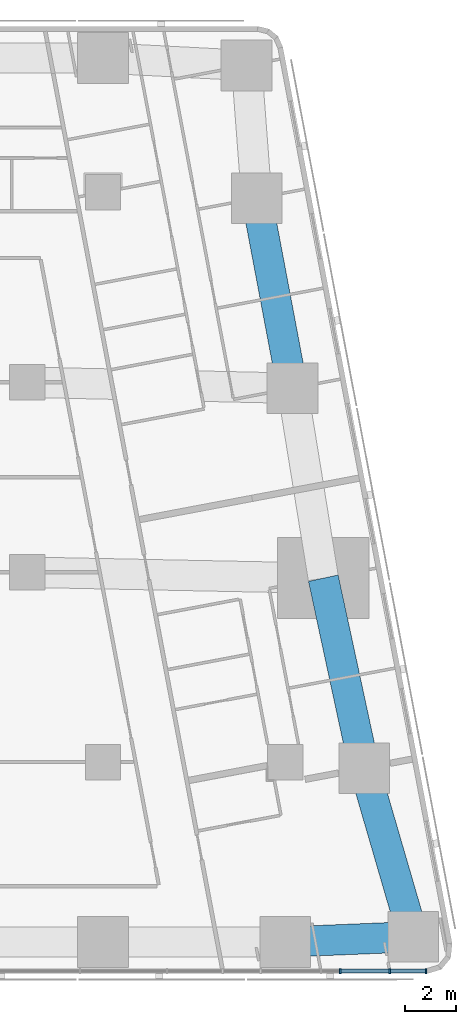
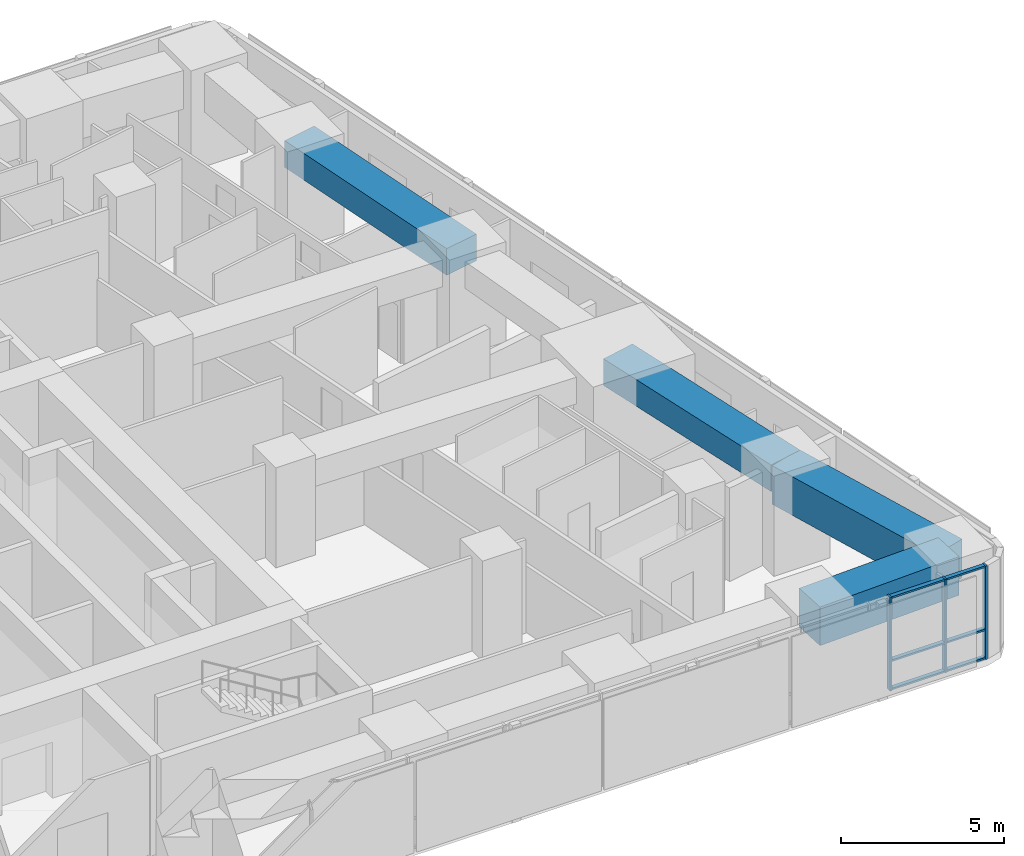
# One storey, part 3 of 11: 9 members, 4 beams, 1 element without a shape of its own.
"""IFC4 building model written with IfcOpenShell, lengths in metres."""

from ifc_helpers import new_model, si_unit, direction, frame, origin, origin_2d, place, context, subcontext, project, spatial, rectangle, extrude, material, material_profile, profile_set, type_object, element, aggregate, save


model = new_model("IFC4")

# Units and contexts
model_context = context("Model", 3, precision=1e-05, world=origin(), true_north=direction((0.0, 1.0)))
body_context = subcontext(model_context, "Body", "Model", "MODEL_VIEW")
ifc_project = project(units=[si_unit("LENGTHUNIT", "METRE"), si_unit("AREAUNIT", "SQUARE_METRE"), si_unit("VOLUMEUNIT", "CUBIC_METRE"), si_unit("PLANEANGLEUNIT", "RADIAN"), si_unit("MASSUNIT", "GRAM", prefix="KILO")], contexts=[model_context])

# Site, building, storey
site_placement = place(None, origin())
site = spatial("IfcSite", under=ifc_project, at=site_placement, CompositionType="ELEMENT")
building_placement = place(site_placement, origin())
building = spatial("IfcBuilding", under=site, at=building_placement, Name="Sheger Commons Tower", CompositionType="ELEMENT")
storey_placement = place(building_placement, frame((0.0, 0.0, 266.60009765625)))
storey = spatial("IfcBuildingStorey", under=building, at=storey_placement, Name="L68", CompositionType="ELEMENT", Elevation=266.60009765625)

# Curtain wall, members
ifc_material_1 = material(Name="Black aluminium curtain wall, dark tinted glazing", Category="aluminium")
curtain_wall_type = type_object("IfcCurtainWallType", Name="CURTAIN WALL CW5 SOUTH GALLERY", PredefinedType="USERDEFINED", material=ifc_material_1)
curtain_wall_placement = place(storey_placement, origin())
curtain_wall = element("IfcCurtainWall", 1, at=curtain_wall_placement, inside=storey, type_object=curtain_wall_type, Name="Curtain Wall Cw5 South Gallery S1 L68", ObjectType="UNITISED CURTAIN WALL", PredefinedType="USERDEFINED")
ifc_material_2 = material(Name="Black anodised aluminium", Category="aluminium")
ifc_material_profile_1 = material_profile(ifc_material_2, rectangle(XDim=0.199951171875, YDim=0.06494140625, at=origin_2d()), Name="AL 65x200")
ifc_profile_set_1 = profile_set([ifc_material_profile_1], Name="Black anodised aluminium")
member_type_1 = type_object("IfcMemberType", Name="MULLION AL 65x200", PredefinedType="MULLION", material=ifc_profile_set_1)
member_1_placement = place(storey_placement, frame((45.364990234375, 6.75, 0.0), z_axis=(0.0, 0.0, 1.0), x_axis=(0.0, 1.0, 0.0)))
member_1 = element("IfcMember", 2, at=member_1_placement, type_object=member_type_1, Name="CW5 mullion 12", PredefinedType="MULLION", context=body_context, shape_type="SweptSolid", body=[
    extrude(rectangle(XDim=0.199951171875, YDim=0.06494140625, at=origin_2d()), origin(), (0.0, 0.0, 1.0), 3.5),
])
member_2_placement = place(storey_placement, frame((47.319091796875, 6.75, 0.0), z_axis=(0.0, 0.0, 1.0), x_axis=(0.0, 1.0, 0.0)))
member_2 = element("IfcMember", 3, at=member_2_placement, type_object=member_type_1, Name="CW5 mullion 13", PredefinedType="MULLION", context=body_context, shape_type="SweptSolid", body=[
    extrude(rectangle(XDim=0.199951171875, YDim=0.06494140625, at=origin_2d()), origin(), (0.0, 0.0, 1.0), 3.5),
])
member_3_placement = place(storey_placement, frame((48.75439453125, 6.75, 0.0), z_axis=(0.0, 0.0, 1.0), x_axis=(0.0, 1.0, 0.0)))
member_3 = element("IfcMember", 4, at=member_3_placement, type_object=member_type_1, Name="CW5 mullion 14", PredefinedType="MULLION", context=body_context, shape_type="SweptSolid", body=[
    extrude(rectangle(XDim=0.199951171875, YDim=0.06494140625, at=origin_2d()), origin(), (0.0, 0.0, 1.0), 3.5),
])

# Beams
ifc_material_3 = material(Name="Concrete C50/60", Category="concrete")
ifc_material_profile_2 = material_profile(ifc_material_3, rectangle(XDim=1.199951171875, YDim=1.0, at=origin_2d()), Name="RC 1200x1000")
ifc_profile_set_2 = profile_set([ifc_material_profile_2], Name="Concrete C50/60")
beam_type_1 = type_object("IfcBeamType", Name="SPANDREL RC 1200x1000", PredefinedType="SPANDREL", material=ifc_profile_set_2)
beam_1_placement = place(storey_placement, frame((46.31396484375, 14.762939453125, 3.0), z_axis=(-0.210750229323, 0.977539943348, 0.0), x_axis=(-0.977539943348, -0.210750229323, 0.0)))
element("IfcBeam", 5, at=beam_1_placement, inside=storey, type_object=beam_type_1, Name="Beam E/C-E/D under L69", PredefinedType="SPANDREL", context=body_context, shape_type="SweptSolid", body=[
    extrude(rectangle(XDim=1.199951171875, YDim=1.0, at=origin_2d()), origin(), (0.0, 0.0, 1.0), 7.67236328125),
])
beam_2_placement = place(storey_placement, frame((43.47998046875, 29.762939453125, 3.0), z_axis=(-0.18552441405, 0.982639655108, 0.0), x_axis=(-0.982639655108, -0.18552441405, 0.0)))
element("IfcBeam", 6, at=beam_2_placement, inside=storey, type_object=beam_type_1, Name="Beam E/E-E/F under L69", PredefinedType="SPANDREL", context=body_context, shape_type="SweptSolid", body=[
    extrude(rectangle(XDim=1.199951171875, YDim=1.0, at=origin_2d()), origin(), (0.0, 0.0, 1.0), 7.632568359375),
])
ifc_material_4 = material(Name="Concrete C50/60", Category="concrete")
ifc_material_profile_3 = material_profile(ifc_material_4, rectangle(XDim=1.199951171875, YDim=1.449951171875, at=origin_2d()), Name="RC 1200x1450")
ifc_profile_set_3 = profile_set([ifc_material_profile_3], Name="Concrete C50/60")
beam_type_2 = type_object("IfcBeamType", Name="SPANDREL RC 1200x1450", PredefinedType="SPANDREL", material=ifc_profile_set_3)
beam_3_placement = place(storey_placement, frame((43.199951171875, 7.89990234375, 2.77490234375), z_axis=(0.999161374218, 0.040945674641, 0.0), x_axis=(-0.040945674641, 0.999161374218, 0.0)))
element("IfcBeam", 7, at=beam_3_placement, inside=storey, type_object=beam_type_2, Name="Beam 7/B-E/B under L69", PredefinedType="SPANDREL", context=body_context, shape_type="SweptSolid", body=[
    extrude(rectangle(XDim=1.199951171875, YDim=1.449951171875, at=origin_2d()), origin(), (0.0, 0.0, 1.0), 5.05615234375),
])
beam_4_placement = place(storey_placement, frame((48.251953125, 8.10693359375, 2.77490234375), z_axis=(-0.279555048455, 0.960129665662, 0.0), x_axis=(-0.960129665662, -0.279555048455, 0.0)))
element("IfcBeam", 8, at=beam_4_placement, inside=storey, type_object=beam_type_2, Name="Beam E/B-E/C under L69", PredefinedType="SPANDREL", context=body_context, shape_type="SweptSolid", body=[
    extrude(rectangle(XDim=1.199951171875, YDim=1.449951171875, at=origin_2d()), origin(), (0.0, 0.0, 1.0), 6.932373046875),
])

# Member
ifc_material_5 = material(Name="Black anodised aluminium", Category="aluminium")
ifc_material_profile_4 = material_profile(ifc_material_5, rectangle(XDim=0.14990234375, YDim=0.06494140625, at=origin_2d()), Name="AL 65x150")
ifc_profile_set_4 = profile_set([ifc_material_profile_4], Name="Black anodised aluminium")
member_type_2 = type_object("IfcMemberType", Name="TRANSOM AL 65x150", PredefinedType="USERDEFINED", material=ifc_profile_set_4)
member_4_placement = place(storey_placement, frame((45.3974609375, 6.75, 0.032470703125), z_axis=(1.0, 0.0, 0.0), x_axis=(0.0, 1.0, 0.0)))
member_4 = element("IfcMember", 9, at=member_4_placement, type_object=member_type_2, Name="CW5 transom 12.1", ObjectType="TRANSOM", PredefinedType="USERDEFINED", context=body_context, shape_type="SweptSolid", body=[
    extrude(rectangle(XDim=0.14990234375, YDim=0.06494140625, at=origin_2d()), origin(), (0.0, 0.0, 1.0), 1.88916015625),
])

member_5_placement = place(storey_placement, frame((45.3974609375, 6.75, 1.099853515625), z_axis=(1.0, 0.0, 0.0), x_axis=(0.0, 1.0, 0.0)))
member_5 = element("IfcMember", 10, at=member_5_placement, type_object=member_type_2, Name="CW5 transom 12.2", ObjectType="TRANSOM", PredefinedType="USERDEFINED", context=body_context, shape_type="SweptSolid", body=[
    extrude(rectangle(XDim=0.14990234375, YDim=0.06494140625, at=origin_2d()), origin(), (0.0, 0.0, 1.0), 1.88916015625),
])

member_6_placement = place(storey_placement, frame((45.3974609375, 6.75, 3.46728515625), z_axis=(1.0, 0.0, 0.0), x_axis=(0.0, 1.0, 0.0)))
member_6 = element("IfcMember", 11, at=member_6_placement, type_object=member_type_2, Name="CW5 transom 12.3", ObjectType="TRANSOM", PredefinedType="USERDEFINED", context=body_context, shape_type="SweptSolid", body=[
    extrude(rectangle(XDim=0.14990234375, YDim=0.06494140625, at=origin_2d()), origin(), (0.0, 0.0, 1.0), 1.88916015625),
])

member_7_placement = place(storey_placement, frame((47.3515625, 6.75, 0.032470703125), z_axis=(1.0, 0.0, 0.0), x_axis=(0.0, 1.0, 0.0)))
member_7 = element("IfcMember", 12, at=member_7_placement, type_object=member_type_2, Name="CW5 transom 13.1", ObjectType="TRANSOM", PredefinedType="USERDEFINED", context=body_context, shape_type="SweptSolid", body=[
    extrude(rectangle(XDim=0.14990234375, YDim=0.06494140625, at=origin_2d()), origin(), (0.0, 0.0, 1.0), 1.370361328125),
])

member_8_placement = place(storey_placement, frame((47.3515625, 6.75, 1.099853515625), z_axis=(1.0, 0.0, 0.0), x_axis=(0.0, 1.0, 0.0)))
member_8 = element("IfcMember", 13, at=member_8_placement, type_object=member_type_2, Name="CW5 transom 13.2", ObjectType="TRANSOM", PredefinedType="USERDEFINED", context=body_context, shape_type="SweptSolid", body=[
    extrude(rectangle(XDim=0.14990234375, YDim=0.06494140625, at=origin_2d()), origin(), (0.0, 0.0, 1.0), 1.370361328125),
])

member_9_placement = place(storey_placement, frame((47.3515625, 6.75, 3.46728515625), z_axis=(1.0, 0.0, 0.0), x_axis=(0.0, 1.0, 0.0)))
member_9 = element("IfcMember", 14, at=member_9_placement, type_object=member_type_2, Name="CW5 transom 13.3", ObjectType="TRANSOM", PredefinedType="USERDEFINED", context=body_context, shape_type="SweptSolid", body=[
    extrude(rectangle(XDim=0.14990234375, YDim=0.06494140625, at=origin_2d()), origin(), (0.0, 0.0, 1.0), 1.370361328125),
])

aggregate(curtain_wall, [member_1, member_2, member_3, member_4, member_5, member_6, member_7, member_8, member_9])

save(model, "model.ifc")
